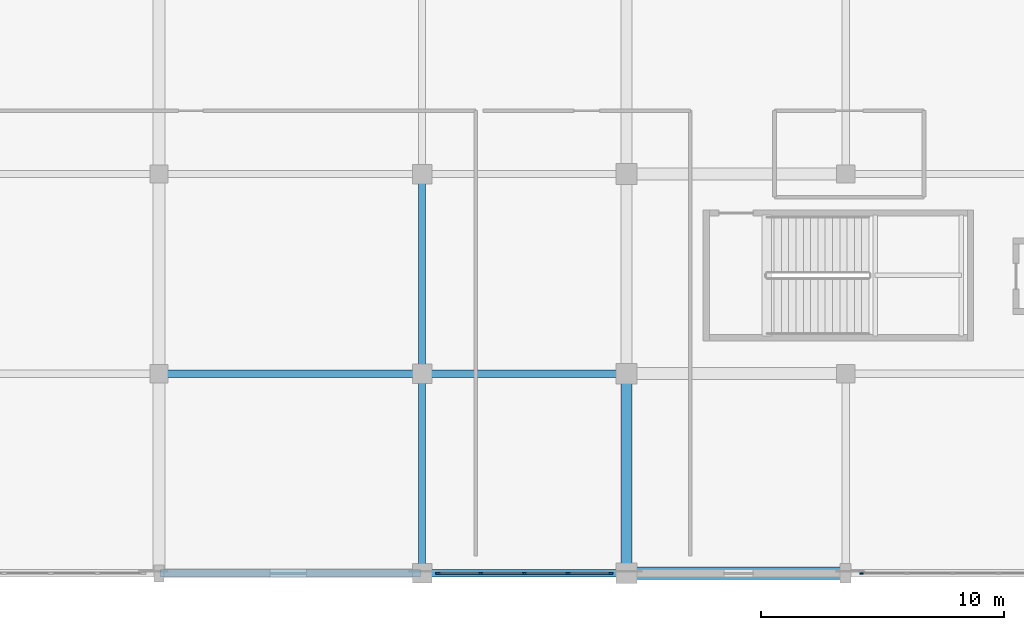
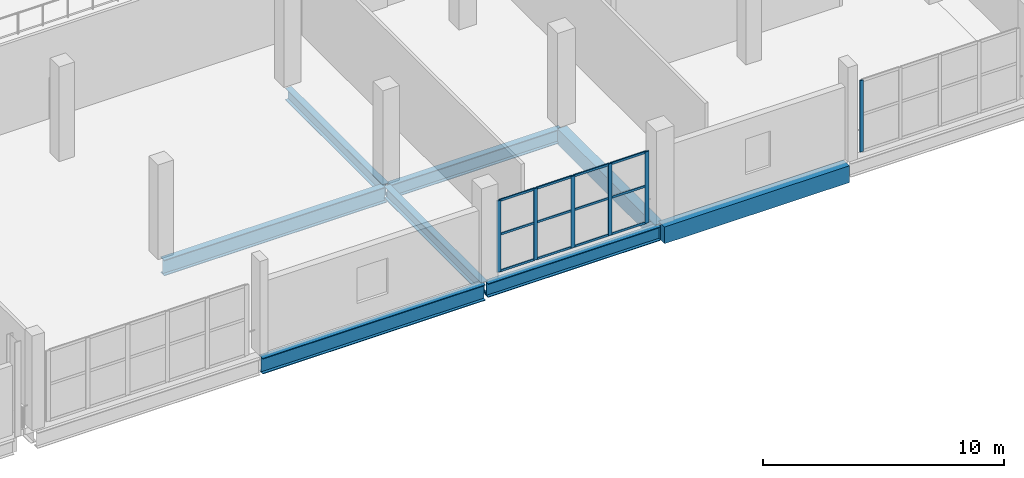
# One storey, part 15 of 129: 18 members, 8 beams, 2 elements without a shape of their own.
"""IFC4 building model written with IfcOpenShell, lengths in metres."""

from ifc_helpers import new_model, si_unit, direction, frame, origin, origin_2d, place, context, subcontext, project, spatial, rectangle, i_section, extrude, material, material_profile, profile_set, type_object, element, aggregate, save


model = new_model("IFC4")

# Units and contexts
model_context = context("Model", 3, precision=1e-05, world=origin(), true_north=direction((0.0, 1.0)))
body_context = subcontext(model_context, "Body", "Model", "MODEL_VIEW")
ifc_project = project(units=[si_unit("LENGTHUNIT", "METRE"), si_unit("AREAUNIT", "SQUARE_METRE"), si_unit("VOLUMEUNIT", "CUBIC_METRE"), si_unit("PLANEANGLEUNIT", "RADIAN"), si_unit("MASSUNIT", "GRAM", prefix="KILO")], contexts=[model_context])

# Site, building, storey
site_placement = place(None, origin())
site = spatial("IfcSite", under=ifc_project, at=site_placement, CompositionType="ELEMENT")
building_placement = place(site_placement, origin())
building = spatial("IfcBuilding", under=site, at=building_placement, Name="Koshinbarg Plaza Stadium", CompositionType="ELEMENT")
storey_placement = place(building_placement, frame((0.0, 0.0, 5.39990234375)))
storey = spatial("IfcBuildingStorey", under=building, at=storey_placement, Name="L01", CompositionType="ELEMENT", Elevation=5.39990234375)

# Beams
ifc_material_1 = material(Name="Concrete C40/50", Category="concrete")
ifc_material_profile_1 = material_profile(ifc_material_1, rectangle(XDim=0.449951171875, YDim=0.800048828125, at=origin_2d()), Name="RC 450x800")
ifc_profile_set_1 = profile_set([ifc_material_profile_1], Name="Concrete C40/50")
beam_type_1 = type_object("IfcBeamType", Name="BM-RCG-04", PredefinedType="USERDEFINED", material=ifc_profile_set_1)
beam_1_placement = place(storey_placement, frame((54.60009765625, 0.06005859375, -0.719970703125), z_axis=(0.0, 1.0, 0.0), x_axis=(-1.0, 0.0, 0.0)))
element("IfcBeam", 1, at=beam_1_placement, inside=storey, type_object=beam_type_1, Name="L01 Y girder 8/A-B", ObjectType="GIRDER", PredefinedType="USERDEFINED", context=body_context, shape_type="SweptSolid", body=[
    extrude(rectangle(XDim=0.449951171875, YDim=0.800048828125, at=origin_2d()), origin(), (0.0, 0.0, 1.0), 8.079833984375),
])
ifc_material_profile_2 = material_profile(ifc_material_1, rectangle(XDim=0.5, YDim=0.85009765625, at=origin_2d()), Name="RC 500x850")
ifc_profile_set_2 = profile_set([ifc_material_profile_2], Name="Concrete C40/50")
beam_type_2 = type_object("IfcBeamType", Name="BM-RCG-05", PredefinedType="USERDEFINED", material=ifc_profile_set_2)
beam_2_placement = place(storey_placement, frame((54.659912109375, 0.0, -0.744873046875), z_axis=(1.0, 0.0, 0.0), x_axis=(0.0, 1.0, 0.0)))
element("IfcBeam", 2, at=beam_2_placement, inside=storey, type_object=beam_type_2, Name="L01 X girder A/8-9", ObjectType="GIRDER", PredefinedType="USERDEFINED", context=body_context, shape_type="SweptSolid", body=[
    extrude(rectangle(XDim=0.5, YDim=0.85009765625, at=origin_2d()), origin(), (0.0, 0.0, 1.0), 8.880126953125),
])
ifc_material_2 = material(Name="Steel S355", Category="steel")
ifc_material_profile_3 = material_profile(ifc_material_2, i_section(OverallWidth=0.300048828125, OverallDepth=0.60009765625, WebThickness=0.015380859375, FlangeThickness=0.030029296875, at=origin_2d()), Name="HEB 600")
ifc_profile_set_3 = profile_set([ifc_material_profile_3], Name="Steel S355")
beam_type_3 = type_object("IfcBeamType", Name="BM-SGIR-02", PredefinedType="USERDEFINED", material=ifc_profile_set_3)
beam_3_placement = place(storey_placement, frame((46.199951171875, 0.06005859375, -0.619873046875), z_axis=(0.0, 1.0, 0.0), x_axis=(-1.0, 0.0, 0.0)))
element("IfcBeam", 3, at=beam_3_placement, inside=storey, type_object=beam_type_3, Name="L01 Y girder 7/A-B", ObjectType="GIRDER", PredefinedType="USERDEFINED", context=body_context, shape_type="SweptSolid", body=[
    extrude(i_section(OverallWidth=0.300048828125, OverallDepth=0.60009765625, WebThickness=0.015380859375, FlangeThickness=0.030029296875, at=origin_2d()), origin(), (0.0, 0.0, 1.0), 8.079833984375),
])
beam_4_placement = place(storey_placement, frame((46.199951171875, 8.260009765625, -0.619873046875), z_axis=(0.0, 1.0, 0.0), x_axis=(-1.0, 0.0, 0.0)))
element("IfcBeam", 4, at=beam_4_placement, inside=storey, type_object=beam_type_3, Name="L01 Y girder 7/B-C", ObjectType="GIRDER", PredefinedType="USERDEFINED", context=body_context, shape_type="SweptSolid", body=[
    extrude(i_section(OverallWidth=0.300048828125, OverallDepth=0.60009765625, WebThickness=0.015380859375, FlangeThickness=0.030029296875, at=origin_2d()), origin(), (0.0, 0.0, 1.0), 8.080078125),
])
ifc_material_profile_4 = material_profile(ifc_material_2, i_section(OverallWidth=0.300048828125, OverallDepth=0.699951171875, WebThickness=0.01708984375, FlangeThickness=0.031982421875, at=origin_2d()), Name="HEB 700")
ifc_profile_set_4 = profile_set([ifc_material_profile_4], Name="Steel S355")
beam_type_4 = type_object("IfcBeamType", Name="BM-SGIR-03", PredefinedType="USERDEFINED", material=ifc_profile_set_4)
for number, where, z_axis, x_axis, name in (
    (5, (46.260009765625, 0.0, -0.669921875), (1.0, 0.0, 0.0), (0.0, 1.0, 0.0), "L01 X girder A/7-8"),
    (6, (46.260009765625, 8.199951171875, -0.669921875), (1.0, 0.0, 0.0), (0.0, 1.0, 0.0), "L01 X girder B/7-8"),
):
    element("IfcBeam", number, at=place(storey_placement, frame(where, z_axis=z_axis, x_axis=x_axis)), inside=storey, type_object=beam_type_4, Name=name, ObjectType="GIRDER", PredefinedType="USERDEFINED", context=body_context, shape_type="SweptSolid", body=[
        extrude(i_section(OverallWidth=0.300048828125, OverallDepth=0.699951171875, WebThickness=0.01708984375, FlangeThickness=0.031982421875, at=origin_2d()), origin(), (0.0, 0.0, 1.0), 8.280029296875),
    ])
ifc_material_profile_5 = material_profile(ifc_material_2, i_section(OverallWidth=0.300048828125, OverallDepth=0.800048828125, WebThickness=0.017578125, FlangeThickness=0.032958984375, at=origin_2d()), Name="HEB 800")
ifc_profile_set_5 = profile_set([ifc_material_profile_5], Name="Steel S355")
beam_type_5 = type_object("IfcBeamType", Name="BM-SGIR-04", PredefinedType="USERDEFINED", material=ifc_profile_set_5)
for number, where, z_axis, x_axis, name in (
    (7, (35.4599609375, 0.0, -0.719970703125), (1.0, 0.0, 0.0), (0.0, 1.0, 0.0), "L01 X girder A/6-7"),
    (8, (35.4599609375, 8.199951171875, -0.719970703125), (1.0, 0.0, 0.0), (0.0, 1.0, 0.0), "L01 X girder B/6-7"),
):
    element("IfcBeam", number, at=place(storey_placement, frame(where, z_axis=z_axis, x_axis=x_axis)), inside=storey, type_object=beam_type_5, Name=name, ObjectType="GIRDER", PredefinedType="USERDEFINED", context=body_context, shape_type="SweptSolid", body=[
        extrude(i_section(OverallWidth=0.300048828125, OverallDepth=0.800048828125, WebThickness=0.017578125, FlangeThickness=0.032958984375, at=origin_2d()), origin(), (0.0, 0.0, 1.0), 10.679931640625),
    ])

# Curtain wall, member
ifc_material_3 = material(Name="Thermally broken anodised aluminium and low-E double glazing", Category="aluminium")
curtain_wall_type_1 = type_object("IfcCurtainWallType", Name="CW-SYS-02", PredefinedType="NOTDEFINED", material=ifc_material_3)
curtain_wall_1_placement = place(storey_placement, origin())
curtain_wall_1 = element("IfcCurtainWall", 9, at=curtain_wall_1_placement, inside=storey, type_object=curtain_wall_type_1, Name="L01 unitised curtain wall CW-L01-033", PredefinedType="NOTDEFINED")
ifc_material_4 = material(Name="Anodised aluminium mullion", Category="aluminium")
ifc_material_profile_6 = material_profile(ifc_material_4, rectangle(XDim=0.06005859375, YDim=0.159912109375, at=origin_2d()), Name="ALU 60x160")
ifc_profile_set_6 = profile_set([ifc_material_profile_6], Name="Anodised aluminium mullion")
member_type_1 = type_object("IfcMemberType", Name="CW-MUL-02", PredefinedType="MULLION", material=ifc_profile_set_6)
member_1_placement = place(storey_placement, frame((64.25, 0.0, 0.0), z_axis=(0.0, 0.0, 1.0), x_axis=(0.0, -1.0, 0.0)))
member_1 = element("IfcMember", 10, at=member_1_placement, type_object=member_type_1, Name="CW02 mullion 5", PredefinedType="MULLION", context=body_context, shape_type="SweptSolid", body=[
    extrude(rectangle(XDim=0.06005859375, YDim=0.159912109375, at=origin_2d()), origin(), (0.0, 0.0, 1.0), 3.630126953125),
])
aggregate(curtain_wall_1, [member_1])

# Curtain wall, members
curtain_wall_type_2 = type_object("IfcCurtainWallType", Name="CW-SYS-03", PredefinedType="NOTDEFINED", material=ifc_material_3)
curtain_wall_2_placement = place(storey_placement, origin())
curtain_wall_2 = element("IfcCurtainWall", 11, at=curtain_wall_2_placement, inside=storey, type_object=curtain_wall_type_2, Name="L01 unitised curtain wall CW-L01-034", PredefinedType="NOTDEFINED")
ifc_material_profile_7 = material_profile(ifc_material_4, rectangle(XDim=0.070068359375, YDim=0.179931640625, at=origin_2d()), Name="ALU 70x180")
ifc_profile_set_7 = profile_set([ifc_material_profile_7], Name="Anodised aluminium mullion")
member_type_2 = type_object("IfcMemberType", Name="CW-MUL-03", PredefinedType="MULLION", material=ifc_profile_set_7)
member_2_placement = place(storey_placement, frame((53.949951171875, 0.0, 0.0), z_axis=(0.0, 0.0, 1.0), x_axis=(0.0, -1.0, 0.0)))
member_2 = element("IfcMember", 12, at=member_2_placement, type_object=member_type_2, Name="CW03 mullion 1", PredefinedType="MULLION", context=body_context, shape_type="SweptSolid", body=[
    extrude(rectangle(XDim=0.070068359375, YDim=0.179931640625, at=origin_2d()), origin(), (0.0, 0.0, 1.0), 3.630126953125),
])
member_3_placement = place(storey_placement, frame((52.18994140625, 0.0, 0.0), z_axis=(0.0, 0.0, 1.0), x_axis=(0.0, -1.0, 0.0)))
member_3 = element("IfcMember", 13, at=member_3_placement, type_object=member_type_2, Name="CW03 mullion 2", PredefinedType="MULLION", context=body_context, shape_type="SweptSolid", body=[
    extrude(rectangle(XDim=0.070068359375, YDim=0.179931640625, at=origin_2d()), origin(), (0.0, 0.0, 1.0), 3.630126953125),
])
member_4_placement = place(storey_placement, frame((50.39990234375, 0.0, 0.0), z_axis=(0.0, 0.0, 1.0), x_axis=(0.0, -1.0, 0.0)))
member_4 = element("IfcMember", 14, at=member_4_placement, type_object=member_type_2, Name="CW03 mullion 3", PredefinedType="MULLION", context=body_context, shape_type="SweptSolid", body=[
    extrude(rectangle(XDim=0.070068359375, YDim=0.179931640625, at=origin_2d()), origin(), (0.0, 0.0, 1.0), 3.630126953125),
])
member_5_placement = place(storey_placement, frame((48.610107421875, 0.0, 0.0), z_axis=(0.0, 0.0, 1.0), x_axis=(0.0, -1.0, 0.0)))
member_5 = element("IfcMember", 15, at=member_5_placement, type_object=member_type_2, Name="CW03 mullion 4", PredefinedType="MULLION", context=body_context, shape_type="SweptSolid", body=[
    extrude(rectangle(XDim=0.070068359375, YDim=0.179931640625, at=origin_2d()), origin(), (0.0, 0.0, 1.0), 3.630126953125),
])
member_6_placement = place(storey_placement, frame((46.85009765625, 0.0, 0.0), z_axis=(0.0, 0.0, 1.0), x_axis=(0.0, -1.0, 0.0)))
member_6 = element("IfcMember", 16, at=member_6_placement, type_object=member_type_2, Name="CW03 mullion 5", PredefinedType="MULLION", context=body_context, shape_type="SweptSolid", body=[
    extrude(rectangle(XDim=0.070068359375, YDim=0.179931640625, at=origin_2d()), origin(), (0.0, 0.0, 1.0), 3.630126953125),
])
ifc_material_5 = material(Name="Anodised aluminium transom", Category="aluminium")
ifc_material_profile_8 = material_profile(ifc_material_5, rectangle(XDim=0.06005859375, YDim=0.110107421875, at=origin_2d()), Name="ALU 60x110")
ifc_profile_set_8 = profile_set([ifc_material_profile_8], Name="Anodised aluminium transom")
member_type_3 = type_object("IfcMemberType", Name="CW-TRN-01", PredefinedType="USERDEFINED", material=ifc_profile_set_8)
member_7_placement = place(storey_placement, frame((53.919921875, 0.0, 0.030029296875), z_axis=(-1.0, 0.0, 0.0), x_axis=(0.0, -1.0, 0.0)))
member_7 = element("IfcMember", 17, at=member_7_placement, type_object=member_type_3, Name="CW03 transom 1.1", ObjectType="TRANSOM", PredefinedType="USERDEFINED", context=body_context, shape_type="SweptSolid", body=[
    extrude(rectangle(XDim=0.06005859375, YDim=0.110107421875, at=origin_2d()), origin(), (0.0, 0.0, 1.0), 1.699951171875),
])
member_8_placement = place(storey_placement, frame((53.919921875, 0.0, 1.8876953125), z_axis=(-1.0, 0.0, 0.0), x_axis=(0.0, -1.0, 0.0)))
member_8 = element("IfcMember", 18, at=member_8_placement, type_object=member_type_3, Name="CW03 transom 1.2", ObjectType="TRANSOM", PredefinedType="USERDEFINED", context=body_context, shape_type="SweptSolid", body=[
    extrude(rectangle(XDim=0.06005859375, YDim=0.110107421875, at=origin_2d()), origin(), (0.0, 0.0, 1.0), 1.699951171875),
])
member_9_placement = place(storey_placement, frame((53.919921875, 0.0, 3.60009765625), z_axis=(-1.0, 0.0, 0.0), x_axis=(0.0, -1.0, 0.0)))
member_9 = element("IfcMember", 19, at=member_9_placement, type_object=member_type_3, Name="CW03 transom 1.3", ObjectType="TRANSOM", PredefinedType="USERDEFINED", context=body_context, shape_type="SweptSolid", body=[
    extrude(rectangle(XDim=0.06005859375, YDim=0.110107421875, at=origin_2d()), origin(), (0.0, 0.0, 1.0), 1.699951171875),
])
member_10_placement = place(storey_placement, frame((52.159912109375, 0.0, 0.030029296875), z_axis=(-1.0, 0.0, 0.0), x_axis=(0.0, -1.0, 0.0)))
member_10 = element("IfcMember", 20, at=member_10_placement, type_object=member_type_3, Name="CW03 transom 2.1", ObjectType="TRANSOM", PredefinedType="USERDEFINED", context=body_context, shape_type="SweptSolid", body=[
    extrude(rectangle(XDim=0.06005859375, YDim=0.110107421875, at=origin_2d()), origin(), (0.0, 0.0, 1.0), 1.72998046875),
])
member_11_placement = place(storey_placement, frame((52.159912109375, 0.0, 1.8876953125), z_axis=(-1.0, 0.0, 0.0), x_axis=(0.0, -1.0, 0.0)))
member_11 = element("IfcMember", 21, at=member_11_placement, type_object=member_type_3, Name="CW03 transom 2.2", ObjectType="TRANSOM", PredefinedType="USERDEFINED", context=body_context, shape_type="SweptSolid", body=[
    extrude(rectangle(XDim=0.06005859375, YDim=0.110107421875, at=origin_2d()), origin(), (0.0, 0.0, 1.0), 1.72998046875),
])
member_12_placement = place(storey_placement, frame((52.159912109375, 0.0, 3.60009765625), z_axis=(-1.0, 0.0, 0.0), x_axis=(0.0, -1.0, 0.0)))
member_12 = element("IfcMember", 22, at=member_12_placement, type_object=member_type_3, Name="CW03 transom 2.3", ObjectType="TRANSOM", PredefinedType="USERDEFINED", context=body_context, shape_type="SweptSolid", body=[
    extrude(rectangle(XDim=0.06005859375, YDim=0.110107421875, at=origin_2d()), origin(), (0.0, 0.0, 1.0), 1.72998046875),
])
member_13_placement = place(storey_placement, frame((50.3701171875, 0.0, 0.030029296875), z_axis=(-1.0, 0.0, 0.0), x_axis=(0.0, -1.0, 0.0)))
member_13 = element("IfcMember", 23, at=member_13_placement, type_object=member_type_3, Name="CW03 transom 3.1", ObjectType="TRANSOM", PredefinedType="USERDEFINED", context=body_context, shape_type="SweptSolid", body=[
    extrude(rectangle(XDim=0.06005859375, YDim=0.110107421875, at=origin_2d()), origin(), (0.0, 0.0, 1.0), 1.730224609375),
])
member_14_placement = place(storey_placement, frame((50.3701171875, 0.0, 1.8876953125), z_axis=(-1.0, 0.0, 0.0), x_axis=(0.0, -1.0, 0.0)))
member_14 = element("IfcMember", 24, at=member_14_placement, type_object=member_type_3, Name="CW03 transom 3.2", ObjectType="TRANSOM", PredefinedType="USERDEFINED", context=body_context, shape_type="SweptSolid", body=[
    extrude(rectangle(XDim=0.06005859375, YDim=0.110107421875, at=origin_2d()), origin(), (0.0, 0.0, 1.0), 1.730224609375),
])
member_15_placement = place(storey_placement, frame((50.3701171875, 0.0, 3.60009765625), z_axis=(-1.0, 0.0, 0.0), x_axis=(0.0, -1.0, 0.0)))
member_15 = element("IfcMember", 25, at=member_15_placement, type_object=member_type_3, Name="CW03 transom 3.3", ObjectType="TRANSOM", PredefinedType="USERDEFINED", context=body_context, shape_type="SweptSolid", body=[
    extrude(rectangle(XDim=0.06005859375, YDim=0.110107421875, at=origin_2d()), origin(), (0.0, 0.0, 1.0), 1.730224609375),
])
member_16_placement = place(storey_placement, frame((48.580078125, 0.0, 0.030029296875), z_axis=(-1.0, 0.0, 0.0), x_axis=(0.0, -1.0, 0.0)))
member_16 = element("IfcMember", 26, at=member_16_placement, type_object=member_type_3, Name="CW03 transom 4.1", ObjectType="TRANSOM", PredefinedType="USERDEFINED", context=body_context, shape_type="SweptSolid", body=[
    extrude(rectangle(XDim=0.06005859375, YDim=0.110107421875, at=origin_2d()), origin(), (0.0, 0.0, 1.0), 1.7001953125),
])
member_17_placement = place(storey_placement, frame((48.580078125, 0.0, 1.8876953125), z_axis=(-1.0, 0.0, 0.0), x_axis=(0.0, -1.0, 0.0)))
member_17 = element("IfcMember", 27, at=member_17_placement, type_object=member_type_3, Name="CW03 transom 4.2", ObjectType="TRANSOM", PredefinedType="USERDEFINED", context=body_context, shape_type="SweptSolid", body=[
    extrude(rectangle(XDim=0.06005859375, YDim=0.110107421875, at=origin_2d()), origin(), (0.0, 0.0, 1.0), 1.7001953125),
])
member_18_placement = place(storey_placement, frame((48.580078125, 0.0, 3.60009765625), z_axis=(-1.0, 0.0, 0.0), x_axis=(0.0, -1.0, 0.0)))
member_18 = element("IfcMember", 28, at=member_18_placement, type_object=member_type_3, Name="CW03 transom 4.3", ObjectType="TRANSOM", PredefinedType="USERDEFINED", context=body_context, shape_type="SweptSolid", body=[
    extrude(rectangle(XDim=0.06005859375, YDim=0.110107421875, at=origin_2d()), origin(), (0.0, 0.0, 1.0), 1.7001953125),
])
aggregate(curtain_wall_2, [member_2, member_3, member_4, member_5, member_6, member_7, member_8, member_9, member_10, member_11, member_12, member_13, member_14, member_15, member_16, member_17, member_18])

save(model, "model.ifc")
